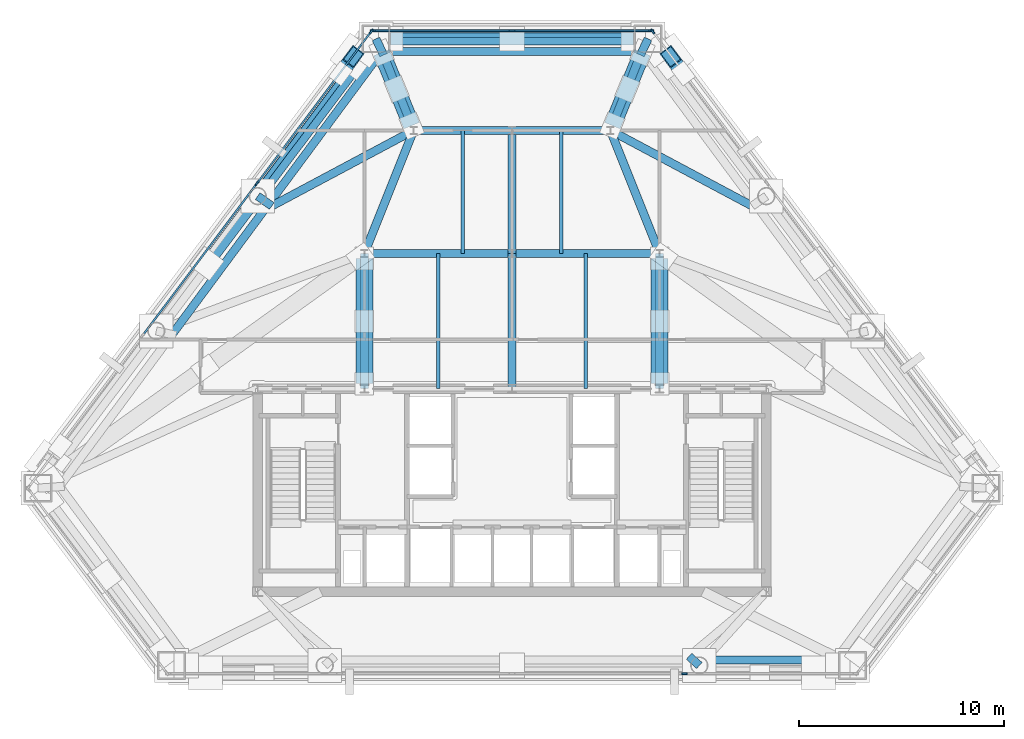
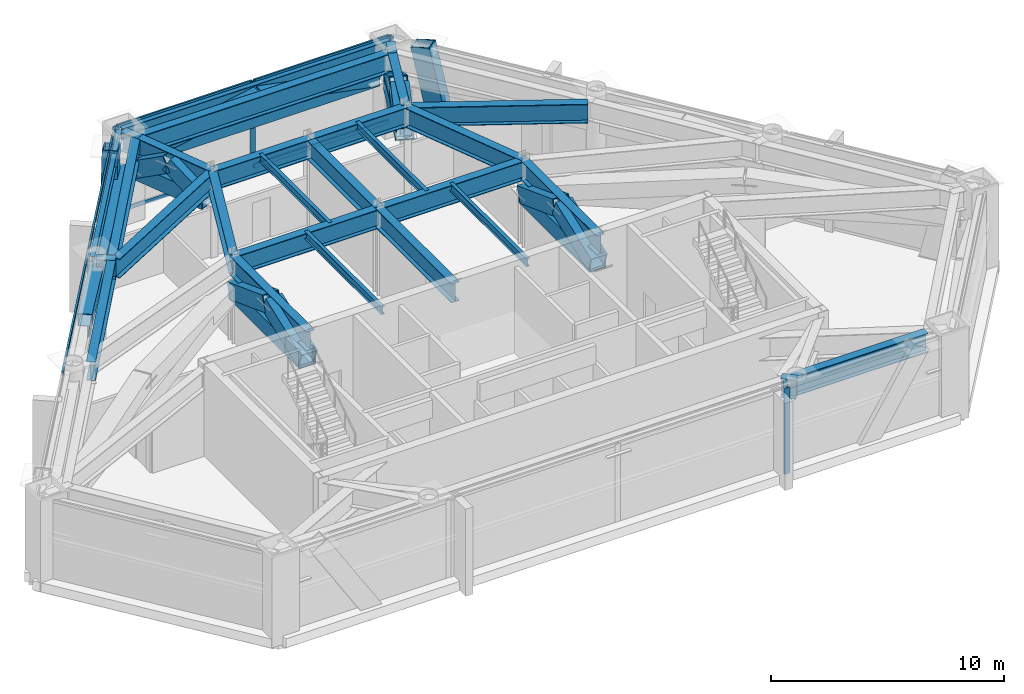
# One storey, part 3 of 9: 32 members, 28 beams, 4 elements without a shape of their own.
"""IFC4 building model written with IfcOpenShell, lengths in metres."""

from ifc_helpers import new_model, si_unit, direction, frame, origin, origin_2d, place, context, subcontext, project, spatial, rectangle, hollow_rectangle, i_section, extrude, material, layer, layer_set, material_profile, profile_set, type_object, element, aggregate, save


model = new_model("IFC4")

# Units and contexts
model_context = context("Model", 3, precision=1e-05, world=origin(), true_north=direction((0.0, 1.0)))
body_context = subcontext(model_context, "Body", "Model", "MODEL_VIEW")
ifc_project = project(units=[si_unit("LENGTHUNIT", "METRE"), si_unit("AREAUNIT", "SQUARE_METRE"), si_unit("VOLUMEUNIT", "CUBIC_METRE"), si_unit("PLANEANGLEUNIT", "RADIAN"), si_unit("MASSUNIT", "GRAM", prefix="KILO")], contexts=[model_context])

# Site, building, storey
site_placement = place(None, origin())
site = spatial("IfcSite", under=ifc_project, at=site_placement, CompositionType="ELEMENT")
building_placement = place(site_placement, origin())
building = spatial("IfcBuilding", under=site, at=building_placement, Name="Talgorran Terracotta Tower", CompositionType="ELEMENT")
storey_placement = place(building_placement, frame((0.0, 0.0, 90.0)))
storey = spatial("IfcBuildingStorey", under=building, at=storey_placement, Name="L23", CompositionType="ELEMENT", Elevation=90.0)

# Beams
ifc_material_1 = material(Name="Steel Grade 350 (350L0)", Category="steel")
ifc_material_profile_1 = material_profile(ifc_material_1, i_section(OverallWidth=0.39990234375, OverallDepth=1.0, WebThickness=0.01611328125, FlangeThickness=0.031005859375, at=origin_2d()), Name="1000WB296")
ifc_profile_set_1 = profile_set([ifc_material_profile_1], Name="Steel Grade 350 (350L0)")
beam_type_1 = type_object("IfcBeamType", Name="BM_1000WB296", PredefinedType="BEAM", material=ifc_profile_set_1)
beam_1_placement = place(storey_placement, frame((8.636962890625, -17.43212890625, 4.02001953125), z_axis=(1.0, 0.0, 0.0), x_axis=(0.0, 1.0, 0.0)))
element("IfcBeam", 1, at=beam_1_placement, inside=storey, type_object=beam_type_1, Name="L23 Setback Inner Spandrel Girder 4", PredefinedType="BEAM", context=body_context, shape_type="SweptSolid", body=[
    extrude(i_section(OverallWidth=0.39990234375, OverallDepth=1.0, WebThickness=0.01611328125, FlangeThickness=0.031005859375, at=origin_2d()), origin(), (0.0, 0.0, 1.0), 7.066650390625),
])
beam_2_placement = place(storey_placement, frame((6.263671875, 12.2548828125, 4.02001953125), z_axis=(-1.0, 0.0, 0.0), x_axis=(0.0, -1.0, 0.0)))
element("IfcBeam", 2, at=beam_2_placement, inside=storey, type_object=beam_type_1, Name="L23 Setback Inner Spandrel Girder 9", PredefinedType="BEAM", context=body_context, shape_type="SweptSolid", body=[
    extrude(i_section(OverallWidth=0.39990234375, OverallDepth=1.0, WebThickness=0.01611328125, FlangeThickness=0.031005859375, at=origin_2d()), origin(), (0.0, 0.0, 1.0), 12.52734375),
])
beam_3_placement = place(storey_placement, frame((-6.408203125, 12.181884765625, 4.02001953125), z_axis=(-0.595184216163, -0.803589291137, 0.0), x_axis=(0.803589291137, -0.595184216163, 0.0)))
element("IfcBeam", 3, at=beam_3_placement, inside=storey, type_object=beam_type_1, Name="L23 Setback Inner Spandrel Girder 10", PredefinedType="BEAM", context=body_context, shape_type="SweptSolid", body=[
    extrude(i_section(OverallWidth=0.39990234375, OverallDepth=1.0, WebThickness=0.01611328125, FlangeThickness=0.031005859375, at=origin_2d()), origin(), (0.0, 0.0, 1.0), 9.162109375),
])
beam_4_placement = place(storey_placement, frame((-11.861328125, 4.8193359375, 4.02001953125), z_axis=(-0.595164355593, -0.803604000632, 0.0), x_axis=(0.803604000632, -0.595164355593, 0.0)))
element("IfcBeam", 4, at=beam_4_placement, inside=storey, type_object=beam_type_1, Name="L23 Setback Inner Spandrel Girder 11", PredefinedType="BEAM", context=body_context, shape_type="SweptSolid", body=[
    extrude(i_section(OverallWidth=0.39990234375, OverallDepth=1.0, WebThickness=0.01611328125, FlangeThickness=0.031005859375, at=origin_2d()), origin(), (0.0, 0.0, 1.0), 7.853515625),
])
beam_5_placement = place(storey_placement, frame((9.1376953125, -17.7021484375, 4.02001953125), z_axis=(-0.743816871695, 0.668383468812, 0.0), x_axis=(-0.668383468812, -0.743816871695, 0.0)))
element("IfcBeam", 5, at=beam_5_placement, inside=storey, type_object=beam_type_1, Name="L23 Perimeter Step Girder 4A", PredefinedType="BEAM", context=body_context, shape_type="SweptSolid", body=[
    extrude(i_section(OverallWidth=0.39990234375, OverallDepth=1.0, WebThickness=0.01611328125, FlangeThickness=0.031005859375, at=origin_2d()), origin(), (0.0, 0.0, 1.0), 0.673095703125),
])
beam_6_placement = place(storey_placement, frame((6.636962890625, 12.864990234375, 4.02001953125), z_axis=(-0.427209369656, -0.904152727407, 0.0), x_axis=(0.904152727407, -0.427209369656, 0.0)))
element("IfcBeam", 6, at=beam_6_placement, inside=storey, type_object=beam_type_1, Name="L23 Perimeter Step Girder 9A", PredefinedType="BEAM", context=body_context, shape_type="SweptSolid", body=[
    extrude(i_section(OverallWidth=0.39990234375, OverallDepth=1.0, WebThickness=0.01611328125, FlangeThickness=0.031005859375, at=origin_2d()), origin(), (0.0, 0.0, 1.0), 0.873779296875),
])
beam_7_placement = place(storey_placement, frame((6.263671875, 12.074951171875, 4.02001953125), z_axis=(-0.369996294012, -0.929033229986, 0.0), x_axis=(0.929033229986, -0.369996294012, 0.0)))
element("IfcBeam", 7, at=beam_7_placement, inside=storey, type_object=beam_type_1, Name="L23 Perimeter Step Girder 9B", PredefinedType="BEAM", context=body_context, shape_type="SweptSolid", body=[
    extrude(i_section(OverallWidth=0.39990234375, OverallDepth=1.0, WebThickness=0.01611328125, FlangeThickness=0.031005859375, at=origin_2d()), origin(), (0.0, 0.0, 1.0), 3.955810546875),
])
beam_8_placement = place(storey_placement, frame((-6.636962890625, 12.864990234375, 4.02001953125), z_axis=(0.427209369656, -0.904152727407, 0.0), x_axis=(0.904152727407, 0.427209369656, 0.0)))
element("IfcBeam", 8, at=beam_8_placement, inside=storey, type_object=beam_type_1, Name="L23 Perimeter Step Girder 10A", PredefinedType="BEAM", context=body_context, shape_type="SweptSolid", body=[
    extrude(i_section(OverallWidth=0.39990234375, OverallDepth=1.0, WebThickness=0.01611328125, FlangeThickness=0.031005859375, at=origin_2d()), origin(), (0.0, 0.0, 1.0), 0.873779296875),
])
beam_9_placement = place(storey_placement, frame((-6.263671875, 12.074951171875, 4.02001953125), z_axis=(0.369996294012, -0.929033229986, 0.0), x_axis=(0.929033229986, 0.369996294012, 0.0)))
element("IfcBeam", 9, at=beam_9_placement, inside=storey, type_object=beam_type_1, Name="L23 Perimeter Step Girder 10B", PredefinedType="BEAM", context=body_context, shape_type="SweptSolid", body=[
    extrude(i_section(OverallWidth=0.39990234375, OverallDepth=1.0, WebThickness=0.01611328125, FlangeThickness=0.031005859375, at=origin_2d()), origin(), (0.0, 0.0, 1.0), 3.955810546875),
])
beam_10_placement = place(storey_placement, frame((-12.406005859375, 5.194091796875, 4.02001953125), z_axis=(0.819518222167, -0.573053124533, 0.0), x_axis=(0.573053124533, 0.819518222167, 0.0)))
element("IfcBeam", 10, at=beam_10_placement, inside=storey, type_object=beam_type_1, Name="L23 Perimeter Step Girder 11A", PredefinedType="BEAM", context=body_context, shape_type="SweptSolid", body=[
    extrude(i_section(OverallWidth=0.39990234375, OverallDepth=1.0, WebThickness=0.01611328125, FlangeThickness=0.031005859375, at=origin_2d()), origin(), (0.0, 0.0, 1.0), 0.841064453125),
])
for number, where, z_axis, x_axis, name in (
    (11, (-7.199951171875, -4.199951171875, 4.02001953125), (0.0, 1.0, 0.0), (-1.0, 0.0, 0.0), "L23 Floor Girder G01"),
    (12, (0.0, -4.199951171875, 4.02001953125), (0.0, 1.0, 0.0), (-1.0, 0.0, 0.0), "L23 Floor Girder G02"),
    (13, (7.199951171875, -4.199951171875, 4.02001953125), (0.0, 1.0, 0.0), (-1.0, 0.0, 0.0), "L23 Floor Girder G03"),
):
    element("IfcBeam", number, at=place(storey_placement, frame(where, z_axis=z_axis, x_axis=x_axis)), inside=storey, type_object=beam_type_1, Name=name, PredefinedType="BEAM", context=body_context, shape_type="SweptSolid", body=[
        extrude(i_section(OverallWidth=0.39990234375, OverallDepth=1.0, WebThickness=0.01611328125, FlangeThickness=0.031005859375, at=origin_2d()), origin(), (0.0, 0.0, 1.0), 6.599853515625),
    ])
for number, where, z_axis, x_axis, name in (
    (14, (-7.199951171875, 2.39990234375, 4.02001953125), (1.0, 0.0, 0.0), (0.0, 1.0, 0.0), "L23 Floor Girder G04"),
    (15, (0.0, 2.39990234375, 4.02001953125), (1.0, 0.0, 0.0), (0.0, 1.0, 0.0), "L23 Floor Girder G05"),
):
    element("IfcBeam", number, at=place(storey_placement, frame(where, z_axis=z_axis, x_axis=x_axis)), inside=storey, type_object=beam_type_1, Name=name, PredefinedType="BEAM", context=body_context, shape_type="SweptSolid", body=[
        extrude(i_section(OverallWidth=0.39990234375, OverallDepth=1.0, WebThickness=0.01611328125, FlangeThickness=0.031005859375, at=origin_2d()), origin(), (0.0, 0.0, 1.0), 7.199951171875),
    ])
beam_11_placement = place(storey_placement, frame((-7.199951171875, 2.39990234375, 4.02001953125), z_axis=(0.371377648723, 0.928481901832, 0.0), x_axis=(-0.928481901832, 0.371377648723, 0.0)))
element("IfcBeam", 16, at=beam_11_placement, inside=storey, type_object=beam_type_1, Name="L23 Floor Girder G08", PredefinedType="BEAM", context=body_context, shape_type="SweptSolid", body=[
    extrude(i_section(OverallWidth=0.39990234375, OverallDepth=1.0, WebThickness=0.01611328125, FlangeThickness=0.031005859375, at=origin_2d()), origin(), (0.0, 0.0, 1.0), 6.462158203125),
])
beam_12_placement = place(storey_placement, frame((0.0, 2.39990234375, 4.02001953125), z_axis=(0.0, 1.0, 0.0), x_axis=(-1.0, 0.0, 0.0)))
element("IfcBeam", 17, at=beam_12_placement, inside=storey, type_object=beam_type_1, Name="L23 Floor Girder G09", PredefinedType="BEAM", context=body_context, shape_type="SweptSolid", body=[
    extrude(i_section(OverallWidth=0.39990234375, OverallDepth=1.0, WebThickness=0.01611328125, FlangeThickness=0.031005859375, at=origin_2d()), origin(), (0.0, 0.0, 1.0), 6.0),
])
beam_13_placement = place(storey_placement, frame((7.199951171875, 2.39990234375, 4.02001953125), z_axis=(-0.371377648723, 0.928481901832, 0.0), x_axis=(-0.928481901832, -0.371377648723, 0.0)))
element("IfcBeam", 18, at=beam_13_placement, inside=storey, type_object=beam_type_1, Name="L23 Floor Girder G10", PredefinedType="BEAM", context=body_context, shape_type="SweptSolid", body=[
    extrude(i_section(OverallWidth=0.39990234375, OverallDepth=1.0, WebThickness=0.01611328125, FlangeThickness=0.031005859375, at=origin_2d()), origin(), (0.0, 0.0, 1.0), 6.462158203125),
])
for number, where, z_axis, x_axis, name in (
    (19, (-4.800048828125, 8.39990234375, 4.02001953125), (1.0, 0.0, 0.0), (0.0, 1.0, 0.0), "L23 Floor Girder G11"),
    (20, (0.0, 8.39990234375, 4.02001953125), (1.0, 0.0, 0.0), (0.0, 1.0, 0.0), "L23 Floor Girder G12"),
):
    element("IfcBeam", number, at=place(storey_placement, frame(where, z_axis=z_axis, x_axis=x_axis)), inside=storey, type_object=beam_type_1, Name=name, PredefinedType="BEAM", context=body_context, shape_type="SweptSolid", body=[
        extrude(i_section(OverallWidth=0.39990234375, OverallDepth=1.0, WebThickness=0.01611328125, FlangeThickness=0.031005859375, at=origin_2d()), origin(), (0.0, 0.0, 1.0), 4.800048828125),
    ])
for number, where, z_axis, x_axis, name in (
    (21, (-4.800048828125, 8.39990234375, 4.02001953125), (-0.882415873237, -0.470470218674, 0.0), (0.470470218674, -0.882415873237, 0.0), "L23 Floor Girder G13"),
    (22, (4.800048828125, 8.39990234375, 4.02001953125), (0.882415873237, -0.470470218674, 0.0), (0.470470218674, 0.882415873237, 0.0), "L23 Floor Girder G14"),
):
    element("IfcBeam", number, at=place(storey_placement, frame(where, z_axis=z_axis, x_axis=x_axis)), inside=storey, type_object=beam_type_1, Name=name, PredefinedType="BEAM", context=body_context, shape_type="SweptSolid", body=[
        extrude(i_section(OverallWidth=0.39990234375, OverallDepth=1.0, WebThickness=0.01611328125, FlangeThickness=0.031005859375, at=origin_2d()), origin(), (0.0, 0.0, 1.0), 7.83837890625),
    ])
ifc_material_2 = material(Name="Steel S355 (300PLUS)", Category="steel")
ifc_material_profile_2 = material_profile(ifc_material_2, i_section(OverallWidth=0.177734375, OverallDepth=0.406494140625, WebThickness=0.0078125, FlangeThickness=0.0126953125, at=origin_2d()), Name="410UB59.7")
ifc_profile_set_2 = profile_set([ifc_material_profile_2], Name="Steel S355 (300PLUS)")
beam_type_2 = type_object("IfcBeamType", Name="BM_JS_410UB60", PredefinedType="JOIST", material=ifc_profile_set_2)
for number, where, z_axis, x_axis, name in (
    (23, (-3.60009765625, -4.199951171875, 4.31689453125), (0.0, 1.0, 0.0), (-1.0, 0.0, 0.0), "L23 Secondary Joist J01"),
    (24, (3.60009765625, -4.199951171875, 4.31689453125), (0.0, 1.0, 0.0), (-1.0, 0.0, 0.0), "L23 Secondary Joist J02"),
):
    element("IfcBeam", number, at=place(storey_placement, frame(where, z_axis=z_axis, x_axis=x_axis)), inside=storey, type_object=beam_type_2, Name=name, PredefinedType="JOIST", context=body_context, shape_type="SweptSolid", body=[
        extrude(i_section(OverallWidth=0.177734375, OverallDepth=0.406494140625, WebThickness=0.0078125, FlangeThickness=0.0126953125, at=origin_2d()), origin(), (0.0, 0.0, 1.0), 6.599853515625),
    ])
for number, where, z_axis, x_axis, name in (
    (25, (-2.39990234375, 2.39990234375, 4.31689453125), (0.0, 1.0, 0.0), (-1.0, 0.0, 0.0), "L23 Secondary Joist J03"),
    (26, (2.39990234375, 2.39990234375, 4.31689453125), (0.0, 1.0, 0.0), (-1.0, 0.0, 0.0), "L23 Secondary Joist J04"),
):
    element("IfcBeam", number, at=place(storey_placement, frame(where, z_axis=z_axis, x_axis=x_axis)), inside=storey, type_object=beam_type_2, Name=name, PredefinedType="JOIST", context=body_context, shape_type="SweptSolid", body=[
        extrude(i_section(OverallWidth=0.177734375, OverallDepth=0.406494140625, WebThickness=0.0078125, FlangeThickness=0.0126953125, at=origin_2d()), origin(), (0.0, 0.0, 1.0), 6.0),
    ])
ifc_material_profile_3 = material_profile(ifc_material_2, i_section(OverallWidth=0.22900390625, OverallDepth=0.611572265625, WebThickness=0.011962890625, FlangeThickness=0.01953125, at=origin_2d()), Name="610UB125")
ifc_profile_set_3 = profile_set([ifc_material_profile_3], Name="Steel S355 (300PLUS)")
beam_type_3 = type_object("IfcBeamType", Name="BM_SP_610UB125", PredefinedType="SPANDREL", material=ifc_profile_set_3)
beam_14_placement = place(storey_placement, frame((6.636962890625, 13.045166015625, 4.214111328125), z_axis=(-1.0, 0.0, 0.0), x_axis=(0.0, -1.0, 0.0)))
element("IfcBeam", 27, at=beam_14_placement, inside=storey, type_object=beam_type_3, Name="L23 Perimeter Spandrel Beam MC5-MC6", PredefinedType="SPANDREL", context=body_context, shape_type="SweptSolid", body=[
    extrude(i_section(OverallWidth=0.22900390625, OverallDepth=0.611572265625, WebThickness=0.011962890625, FlangeThickness=0.01953125, at=origin_2d()), origin(), (0.0, 0.0, 1.0), 13.27392578125),
])
beam_15_placement = place(storey_placement, frame((-6.781005859375, 12.973388671875, 4.214111328125), z_axis=(-0.601041374216, -0.799217909259, 0.0), x_axis=(0.799217909259, -0.601041374216, 0.0)))
element("IfcBeam", 28, at=beam_15_placement, inside=storey, type_object=beam_type_3, Name="L23 Perimeter Spandrel Beam MC6-FC5", PredefinedType="SPANDREL", context=body_context, shape_type="SweptSolid", body=[
    extrude(i_section(OverallWidth=0.22900390625, OverallDepth=0.611572265625, WebThickness=0.011962890625, FlangeThickness=0.01953125, at=origin_2d()), origin(), (0.0, 0.0, 1.0), 9.597900390625),
])

# Members
ifc_material_profile_4 = material_profile(ifc_material_1, hollow_rectangle(XDim=0.6201171875, YDim=0.6201171875, WallThickness=0.034912109375, at=origin_2d()), Name="WBOX620X620X35")
ifc_profile_set_4 = profile_set([ifc_material_profile_4], Name="Steel Grade 350 (350L0)")
member_type_1 = type_object("IfcMemberType", Name="MB_BELT_CHORD", PredefinedType="CHORD", material=ifc_profile_set_4)
member_1_placement = place(storey_placement, frame((5.9169921875, 12.864990234375, 2.919921875), z_axis=(-1.0, 0.0, 0.0), x_axis=(0.0, -1.0, 0.0)))
element("IfcMember", 29, at=member_1_placement, inside=storey, type_object=member_type_1, Name="L23 Belt Truss Chord BT5", PredefinedType="CHORD", context=body_context, shape_type="SweptSolid", body=[
    extrude(hollow_rectangle(XDim=0.6201171875, YDim=0.6201171875, WallThickness=0.034912109375, at=origin_2d()), origin(), (0.0, 0.0, 1.0), 11.833984375),
])
ifc_material_profile_5 = material_profile(ifc_material_1, hollow_rectangle(XDim=0.6201171875, YDim=0.6201171875, WallThickness=0.034912109375, at=origin_2d()), Name="WBOX620X620X35")
ifc_profile_set_5 = profile_set([ifc_material_profile_5], Name="Steel Grade 350 (350L0)")
member_type_2 = type_object("IfcMemberType", Name="MB_BELT_DIAG", PredefinedType="BRACE", material=ifc_profile_set_5)
for number, where, z_axis, x_axis, name in (
    (30, (5.9169921875, 12.864990234375, 2.919921875), (-0.981937024453, 0.0, 0.189208033677), (0.0, -1.0, 0.0), "L23 Belt Truss Diagonal BT5-1"),
    (31, (0.0, 12.864990234375, 4.06005859375), (-0.981937024453, 0.0, -0.189208033677), (0.0, -1.0, 0.0), "L23 Belt Truss Diagonal BT5-2"),
):
    element("IfcMember", number, at=place(storey_placement, frame(where, z_axis=z_axis, x_axis=x_axis)), inside=storey, type_object=member_type_2, Name=name, PredefinedType="BRACE", context=body_context, shape_type="SweptSolid", body=[
        extrude(hollow_rectangle(XDim=0.6201171875, YDim=0.6201171875, WallThickness=0.034912109375, at=origin_2d()), origin(), (0.0, 0.0, 1.0), 6.02587890625),
    ])
member_2_placement = place(storey_placement, frame((-7.06982421875, 12.289794921875, 2.919921875), z_axis=(-0.59873555883, -0.796161228824, 0.087424414837), x_axis=(0.799221322733, -0.601036835218, 0.0)))
element("IfcMember", 32, at=member_2_placement, inside=storey, type_object=member_type_2, Name="L23 Belt Truss Diagonal BT6-1", PredefinedType="BRACE", context=body_context, shape_type="SweptSolid", body=[
    extrude(hollow_rectangle(XDim=0.6201171875, YDim=0.6201171875, WallThickness=0.034912109375, at=origin_2d()), origin(), (0.0, 0.0, 1.0), 13.04150390625),
])
ifc_material_profile_6 = material_profile(ifc_material_1, hollow_rectangle(XDim=0.699951171875, YDim=0.89990234375, WallThickness=0.050048828125, at=origin_2d()), Name="WBOX900X700X50")
ifc_profile_set_6 = profile_set([ifc_material_profile_6], Name="Steel Grade 350 (350L0)")
member_type_3 = type_object("IfcMemberType", Name="MB_MEGA_900", PredefinedType="BRACE", material=ifc_profile_set_6)
for number, where, z_axis, x_axis, name in (
    (33, (8.35791015625, 11.175537109375, -0.02490234375), (-0.132316026319, 0.175987089752, 0.975459385838), (-0.799289381122, -0.600946324746, 0.0), "L23 Exterior Face Mega-Brace MB-1 (NEU)"),
    (34, (-8.35791015625, 11.175537109375, -0.02490234375), (0.132316026319, 0.175987089752, 0.975459385838), (-0.799289381122, 0.600946324746, 0.0), "L23 Exterior Face Mega-Brace MB-1 (NWU)"),
):
    element("IfcMember", number, at=place(storey_placement, frame(where, z_axis=z_axis, x_axis=x_axis)), inside=storey, type_object=member_type_3, Name=name, PredefinedType="BRACE", context=body_context, shape_type="SweptSolid", body=[
        extrude(hollow_rectangle(XDim=0.699951171875, YDim=0.89990234375, WallThickness=0.050048828125, at=origin_2d()), origin(), (0.0, 0.0, 1.0), 4.684814453125),
    ])
ifc_material_profile_7 = material_profile(ifc_material_1, hollow_rectangle(XDim=0.820068359375, YDim=0.820068359375, WallThickness=0.044921875, at=origin_2d()), Name="WBOX820X820X45")
ifc_profile_set_7 = profile_set([ifc_material_profile_7], Name="Steel Grade 350 (350L0)")
member_type_4 = type_object("IfcMemberType", Name="MB_OUT_CHORD", PredefinedType="CHORD", material=ifc_profile_set_7)
for number, where, z_axis, x_axis, name in (
    (35, (-7.199951171875, -3.949951171875, 2.919921875), (0.0, 1.0, 0.0), (-1.0, 0.0, 0.0), "L23 Outrigger Bottom Chord OR1"),
    (36, (7.199951171875, -3.949951171875, 2.919921875), (0.0, 1.0, 0.0), (-1.0, 0.0, 0.0), "L23 Outrigger Bottom Chord OR2"),
):
    element("IfcMember", number, at=place(storey_placement, frame(where, z_axis=z_axis, x_axis=x_axis)), inside=storey, type_object=member_type_4, Name=name, PredefinedType="CHORD", context=body_context, shape_type="SweptSolid", body=[
        extrude(hollow_rectangle(XDim=0.820068359375, YDim=0.820068359375, WallThickness=0.044921875, at=origin_2d()), origin(), (0.0, 0.0, 1.0), 6.099853515625),
    ])
for number, where, z_axis, x_axis, name in (
    (37, (-4.89501953125, 8.631103515625, 2.919921875), (-0.380482454885, 0.924788138724, 0.0), (-0.924788138724, -0.380482454885, 0.0), "L23 Outrigger Bottom Chord OR5"),
    (38, (4.89501953125, 8.631103515625, 2.919921875), (0.380482454885, 0.924788138724, 0.0), (-0.924788138724, 0.380482454885, 0.0), "L23 Outrigger Bottom Chord OR6"),
):
    element("IfcMember", number, at=place(storey_placement, frame(where, z_axis=z_axis, x_axis=x_axis)), inside=storey, type_object=member_type_4, Name=name, PredefinedType="CHORD", context=body_context, shape_type="SweptSolid", body=[
        extrude(hollow_rectangle(XDim=0.820068359375, YDim=0.820068359375, WallThickness=0.044921875, at=origin_2d()), origin(), (0.0, 0.0, 1.0), 3.8583984375),
    ])
ifc_material_profile_8 = material_profile(ifc_material_1, hollow_rectangle(XDim=0.820068359375, YDim=0.820068359375, WallThickness=0.044921875, at=origin_2d()), Name="WBOX820X820X45")
ifc_profile_set_8 = profile_set([ifc_material_profile_8], Name="Steel Grade 350 (350L0)")
member_type_5 = type_object("IfcMemberType", Name="MB_OUT_DIAG", PredefinedType="BRACE", material=ifc_profile_set_8)
member_3_placement = place(storey_placement, frame((-7.199951171875, -3.949951171875, 2.919921875), z_axis=(0.0, 0.936695338373, 0.350145459874), x_axis=(-1.0, 0.0, 0.0)))
element("IfcMember", 39, at=member_3_placement, inside=storey, type_object=member_type_5, Name="L23 Outrigger Web Diagonal OR1-1", PredefinedType="BRACE", context=body_context, shape_type="SweptSolid", body=[
    extrude(hollow_rectangle(XDim=0.820068359375, YDim=0.820068359375, WallThickness=0.044921875, at=origin_2d()), origin(), (0.0, 0.0, 1.0), 3.256103515625),
])
member_4_placement = place(storey_placement, frame((-7.199951171875, -0.89990234375, 4.06005859375), z_axis=(0.0, 0.936686145011, -0.35017005261), x_axis=(-1.0, 0.0, 0.0)))
element("IfcMember", 40, at=member_4_placement, inside=storey, type_object=member_type_5, Name="L23 Outrigger Web Diagonal OR1-2", PredefinedType="BRACE", context=body_context, shape_type="SweptSolid", body=[
    extrude(hollow_rectangle(XDim=0.820068359375, YDim=0.820068359375, WallThickness=0.044921875, at=origin_2d()), origin(), (0.0, 0.0, 1.0), 3.255859375),
])
member_5_placement = place(storey_placement, frame((7.199951171875, -3.949951171875, 2.919921875), z_axis=(0.0, 0.936695338373, 0.350145459874), x_axis=(-1.0, 0.0, 0.0)))
element("IfcMember", 41, at=member_5_placement, inside=storey, type_object=member_type_5, Name="L23 Outrigger Web Diagonal OR2-1", PredefinedType="BRACE", context=body_context, shape_type="SweptSolid", body=[
    extrude(hollow_rectangle(XDim=0.820068359375, YDim=0.820068359375, WallThickness=0.044921875, at=origin_2d()), origin(), (0.0, 0.0, 1.0), 3.256103515625),
])
member_6_placement = place(storey_placement, frame((7.199951171875, -0.89990234375, 4.06005859375), z_axis=(0.0, 0.936686145011, -0.35017005261), x_axis=(-1.0, 0.0, 0.0)))
element("IfcMember", 42, at=member_6_placement, inside=storey, type_object=member_type_5, Name="L23 Outrigger Web Diagonal OR2-2", PredefinedType="BRACE", context=body_context, shape_type="SweptSolid", body=[
    extrude(hollow_rectangle(XDim=0.820068359375, YDim=0.820068359375, WallThickness=0.044921875, at=origin_2d()), origin(), (0.0, 0.0, 1.0), 3.255859375),
])
member_7_placement = place(storey_placement, frame((-4.89501953125, 8.631103515625, 2.919921875), z_axis=(-0.327588265772, 0.796147338297, 0.508758630247), x_axis=(-0.924775034743, -0.380514303431, 0.0)))
element("IfcMember", 43, at=member_7_placement, inside=storey, type_object=member_type_5, Name="L23 Outrigger Web Diagonal OR5-1", PredefinedType="BRACE", context=body_context, shape_type="SweptSolid", body=[
    extrude(hollow_rectangle(XDim=0.820068359375, YDim=0.820068359375, WallThickness=0.044921875, at=origin_2d()), origin(), (0.0, 0.0, 1.0), 2.240966796875),
])
member_8_placement = place(storey_placement, frame((-5.629150390625, 10.415283203125, 4.06005859375), z_axis=(-0.327519417991, 0.796135857373, -0.508820918835), x_axis=(-0.924801243772, -0.380450600627, 0.0)))
element("IfcMember", 44, at=member_8_placement, inside=storey, type_object=member_type_5, Name="L23 Outrigger Web Diagonal OR5-2", PredefinedType="BRACE", context=body_context, shape_type="SweptSolid", body=[
    extrude(hollow_rectangle(XDim=0.820068359375, YDim=0.820068359375, WallThickness=0.044921875, at=origin_2d()), origin(), (0.0, 0.0, 1.0), 2.24072265625),
])
member_9_placement = place(storey_placement, frame((4.89501953125, 8.631103515625, 2.919921875), z_axis=(0.327588265772, 0.796147338297, 0.508758630247), x_axis=(-0.924775034743, 0.380514303431, 0.0)))
element("IfcMember", 45, at=member_9_placement, inside=storey, type_object=member_type_5, Name="L23 Outrigger Web Diagonal OR6-1", PredefinedType="BRACE", context=body_context, shape_type="SweptSolid", body=[
    extrude(hollow_rectangle(XDim=0.820068359375, YDim=0.820068359375, WallThickness=0.044921875, at=origin_2d()), origin(), (0.0, 0.0, 1.0), 2.240966796875),
])
member_10_placement = place(storey_placement, frame((5.629150390625, 10.415283203125, 4.06005859375), z_axis=(0.327519417991, 0.796135857373, -0.508820918835), x_axis=(-0.924801243772, 0.380450600627, 0.0)))
element("IfcMember", 46, at=member_10_placement, inside=storey, type_object=member_type_5, Name="L23 Outrigger Web Diagonal OR6-2", PredefinedType="BRACE", context=body_context, shape_type="SweptSolid", body=[
    extrude(hollow_rectangle(XDim=0.820068359375, YDim=0.820068359375, WallThickness=0.044921875, at=origin_2d()), origin(), (0.0, 0.0, 1.0), 2.24072265625),
])

# Curtain wall, member
ifc_material_3 = material(Name="Anodised Aluminium Louvre", Category="aluminium")
ifc_layer = layer(ifc_material_3, 0.25, Name="CW_SYS4_LOUVRE")
ifc_layer_set = layer_set([ifc_layer], Name="Anodised Aluminium Louvre")
curtain_wall_type = type_object("IfcCurtainWallType", Name="CW_SYS4_LOUVRE", PredefinedType="NOTDEFINED", material=ifc_layer_set)
curtain_wall_1_placement = place(storey_placement, origin())
curtain_wall_1 = element("IfcCurtainWall", 47, at=curtain_wall_1_placement, inside=storey, type_object=curtain_wall_type, Name="CW-L23-F1", PredefinedType="NOTDEFINED")
ifc_material_4 = material(Name="Architectural Aluminium 6063-T6", Category="aluminium")
ifc_material_profile_9 = material_profile(ifc_material_4, rectangle(XDim=0.0849609375, YDim=0.260009765625, at=origin_2d()), Name="CWM85X260")
ifc_profile_set_9 = profile_set([ifc_material_profile_9], Name="Architectural Aluminium 6063-T6")
member_type_6 = type_object("IfcMemberType", Name="MUL_85X260", PredefinedType="MULLION", material=ifc_profile_set_9)
member_11_placement = place(storey_placement, frame((8.40673828125, -18.102294921875, 0.0), z_axis=(0.0, 0.0, 1.0), x_axis=(0.0, 1.0, 0.0)))
member_11 = element("IfcMember", 48, at=member_11_placement, type_object=member_type_6, Name="CW-L23-1 mullion 4", PredefinedType="MULLION", context=body_context, shape_type="SweptSolid", body=[
    extrude(rectangle(XDim=0.0849609375, YDim=0.260009765625, at=origin_2d()), origin(), (0.0, 0.0, 1.0), 4.52001953125),
])
aggregate(curtain_wall_1, [member_11])

curtain_wall_2_placement = place(storey_placement, origin())
curtain_wall_2 = element("IfcCurtainWall", 49, at=curtain_wall_2_placement, inside=storey, type_object=curtain_wall_type, Name="CW-L23-F3", PredefinedType="NOTDEFINED")
member_12_placement = place(storey_placement, frame((6.8623046875, 13.231201171875, 0.0), z_axis=(0.0, 0.0, 1.0), x_axis=(-0.799213737843, -0.601046921, 0.0)))
member_12 = element("IfcMember", 50, at=member_12_placement, type_object=member_type_6, Name="CW-L23-3 mullion 4", PredefinedType="MULLION", context=body_context, shape_type="SweptSolid", body=[
    extrude(rectangle(XDim=0.0849609375, YDim=0.260009765625, at=origin_2d()), origin(), (0.0, 0.0, 1.0), 4.52001953125),
])
aggregate(curtain_wall_2, [member_12])

# Curtain wall, members
curtain_wall_3_placement = place(storey_placement, origin())
curtain_wall_3 = element("IfcCurtainWall", 51, at=curtain_wall_3_placement, inside=storey, type_object=curtain_wall_type, Name="CW-L23-F4", PredefinedType="NOTDEFINED")
member_13_placement = place(storey_placement, frame((6.794189453125, 13.26513671875, 0.0), z_axis=(0.0, 0.0, 1.0), x_axis=(0.0, -1.0, 0.0)))
member_13 = element("IfcMember", 52, at=member_13_placement, type_object=member_type_6, Name="CW-L23-4 mullion 1", PredefinedType="MULLION", context=body_context, shape_type="SweptSolid", body=[
    extrude(rectangle(XDim=0.0849609375, YDim=0.260009765625, at=origin_2d()), origin(), (0.0, 0.0, 1.0), 4.52001953125),
])
member_14_placement = place(storey_placement, frame((0.0, 13.26513671875, 0.0), z_axis=(0.0, 0.0, 1.0), x_axis=(0.0, -1.0, 0.0)))
member_14 = element("IfcMember", 53, at=member_14_placement, type_object=member_type_6, Name="CW-L23-4 mullion 2", PredefinedType="MULLION", context=body_context, shape_type="SweptSolid", body=[
    extrude(rectangle(XDim=0.0849609375, YDim=0.260009765625, at=origin_2d()), origin(), (0.0, 0.0, 1.0), 4.52001953125),
])
member_15_placement = place(storey_placement, frame((-6.794189453125, 13.26513671875, 0.0), z_axis=(0.0, 0.0, 1.0), x_axis=(0.0, -1.0, 0.0)))
member_15 = element("IfcMember", 54, at=member_15_placement, type_object=member_type_6, Name="CW-L23-4 mullion 3", PredefinedType="MULLION", context=body_context, shape_type="SweptSolid", body=[
    extrude(rectangle(XDim=0.0849609375, YDim=0.260009765625, at=origin_2d()), origin(), (0.0, 0.0, 1.0), 4.52001953125),
])

curtain_wall_4_placement = place(storey_placement, origin())
curtain_wall_4 = element("IfcCurtainWall", 55, at=curtain_wall_4_placement, inside=storey, type_object=curtain_wall_type, Name="CW-L23-F5", PredefinedType="NOTDEFINED")
member_16_placement = place(storey_placement, frame((-6.8623046875, 13.231201171875, 0.0), z_axis=(0.0, 0.0, 1.0), x_axis=(0.799213737843, -0.601046921, 0.0)))
member_16 = element("IfcMember", 56, at=member_16_placement, type_object=member_type_6, Name="CW-L23-5 mullion 1", PredefinedType="MULLION", context=body_context, shape_type="SweptSolid", body=[
    extrude(rectangle(XDim=0.0849609375, YDim=0.260009765625, at=origin_2d()), origin(), (0.0, 0.0, 1.0), 4.52001953125),
])
member_17_placement = place(storey_placement, frame((-12.43115234375, 5.826171875, 0.0), z_axis=(0.0, 0.0, 1.0), x_axis=(0.799213737843, -0.601046921, 0.0)))
member_17 = element("IfcMember", 57, at=member_17_placement, type_object=member_type_6, Name="CW-L23-5 mullion 2", PredefinedType="MULLION", context=body_context, shape_type="SweptSolid", body=[
    extrude(rectangle(XDim=0.0849609375, YDim=0.260009765625, at=origin_2d()), origin(), (0.0, 0.0, 1.0), 4.52001953125),
])

# Member
ifc_material_profile_10 = material_profile(ifc_material_4, rectangle(XDim=0.0849609375, YDim=0.2099609375, at=origin_2d()), Name="CWT85X210")
ifc_profile_set_10 = profile_set([ifc_material_profile_10], Name="Architectural Aluminium 6063-T6")
member_type_7 = type_object("IfcMemberType", Name="TRN_85X210", PredefinedType="USERDEFINED", material=ifc_profile_set_10)
member_18_placement = place(storey_placement, frame((6.751708984375, 13.26513671875, 0.04248046875), z_axis=(-1.0, 0.0, 0.0), x_axis=(0.0, -1.0, 0.0)))
member_18 = element("IfcMember", 58, at=member_18_placement, type_object=member_type_7, Name="CW-L23-4 transom 1.1", ObjectType="TRANSOM", PredefinedType="USERDEFINED", context=body_context, shape_type="SweptSolid", body=[
    extrude(rectangle(XDim=0.0849609375, YDim=0.2099609375, at=origin_2d()), origin(), (0.0, 0.0, 1.0), 6.709228515625),
])

member_19_placement = place(storey_placement, frame((6.751708984375, 13.26513671875, 4.4775390625), z_axis=(-1.0, 0.0, 0.0), x_axis=(0.0, -1.0, 0.0)))
member_19 = element("IfcMember", 59, at=member_19_placement, type_object=member_type_7, Name="CW-L23-4 transom 1.2", ObjectType="TRANSOM", PredefinedType="USERDEFINED", context=body_context, shape_type="SweptSolid", body=[
    extrude(rectangle(XDim=0.0849609375, YDim=0.2099609375, at=origin_2d()), origin(), (0.0, 0.0, 1.0), 6.709228515625),
])

member_20_placement = place(storey_placement, frame((-0.04248046875, 13.26513671875, 0.04248046875), z_axis=(-1.0, 0.0, 0.0), x_axis=(0.0, -1.0, 0.0)))
member_20 = element("IfcMember", 60, at=member_20_placement, type_object=member_type_7, Name="CW-L23-4 transom 2.1", ObjectType="TRANSOM", PredefinedType="USERDEFINED", context=body_context, shape_type="SweptSolid", body=[
    extrude(rectangle(XDim=0.0849609375, YDim=0.2099609375, at=origin_2d()), origin(), (0.0, 0.0, 1.0), 6.709228515625),
])

member_21_placement = place(storey_placement, frame((-0.04248046875, 13.26513671875, 4.4775390625), z_axis=(-1.0, 0.0, 0.0), x_axis=(0.0, -1.0, 0.0)))
member_21 = element("IfcMember", 61, at=member_21_placement, type_object=member_type_7, Name="CW-L23-4 transom 2.2", ObjectType="TRANSOM", PredefinedType="USERDEFINED", context=body_context, shape_type="SweptSolid", body=[
    extrude(rectangle(XDim=0.0849609375, YDim=0.2099609375, at=origin_2d()), origin(), (0.0, 0.0, 1.0), 6.709228515625),
])

aggregate(curtain_wall_3, [member_13, member_14, member_15, member_18, member_19, member_20, member_21])

member_22_placement = place(storey_placement, frame((-6.8876953125, 13.197265625, 0.04248046875), z_axis=(-0.60104195972, -0.799217468938, 0.0), x_axis=(0.799217468938, -0.60104195972, 0.0)))
member_22 = element("IfcMember", 62, at=member_22_placement, type_object=member_type_7, Name="CW-L23-5 transom 1.1", ObjectType="TRANSOM", PredefinedType="USERDEFINED", context=body_context, shape_type="SweptSolid", body=[
    extrude(rectangle(XDim=0.0849609375, YDim=0.2099609375, at=origin_2d()), origin(), (0.0, 0.0, 1.0), 9.180419921875),
])

member_23_placement = place(storey_placement, frame((-6.8876953125, 13.197265625, 4.4775390625), z_axis=(-0.60104195972, -0.799217468938, 0.0), x_axis=(0.799217468938, -0.60104195972, 0.0)))
member_23 = element("IfcMember", 63, at=member_23_placement, type_object=member_type_7, Name="CW-L23-5 transom 1.2", ObjectType="TRANSOM", PredefinedType="USERDEFINED", context=body_context, shape_type="SweptSolid", body=[
    extrude(rectangle(XDim=0.0849609375, YDim=0.2099609375, at=origin_2d()), origin(), (0.0, 0.0, 1.0), 9.180419921875),
])

member_24_placement = place(storey_placement, frame((-12.456787109375, 5.792236328125, 4.4775390625), z_axis=(-0.601032942494, -0.799224250156, 0.0), x_axis=(0.799224250156, -0.601032942494, 0.0)))
member_24 = element("IfcMember", 64, at=member_24_placement, type_object=member_type_7, Name="CW-L23-5 transom 2.2", ObjectType="TRANSOM", PredefinedType="USERDEFINED", context=body_context, shape_type="SweptSolid", body=[
    extrude(rectangle(XDim=0.0849609375, YDim=0.2099609375, at=origin_2d()), origin(), (0.0, 0.0, 1.0), 9.222900390625),
])

aggregate(curtain_wall_4, [member_16, member_17, member_22, member_23, member_24])

save(model, "model.ifc")
